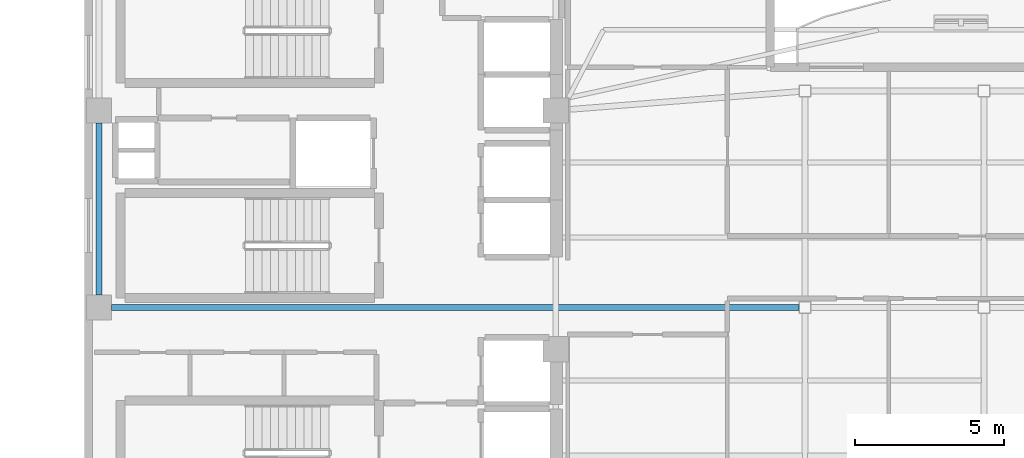
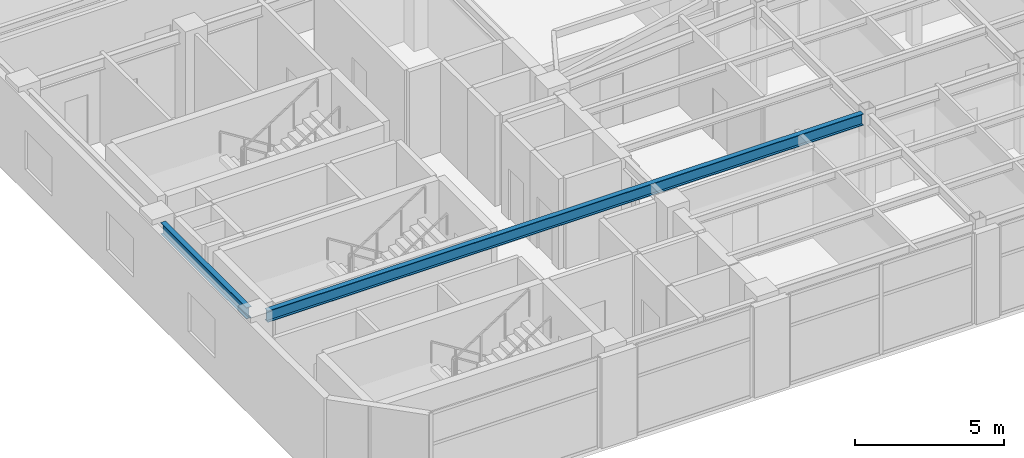
# One storey, part 3 of 14: 2 beams.
"""IFC4 building model written with IfcOpenShell, lengths in metres."""

import ifcopenshell
import ifcopenshell.guid

model = None  # the IFC model being written
_history = None  # IfcOwnerHistory: only IFC2X3 demands one
_inside = {}  # id of a spatial element -> (the spatial element, [elements in it])
_under = {}  # id of a project, library or spatial element -> (it, [spatial elements below it])
_declared = {}  # id of a project -> (the project, [libraries it declares])
_typed = {}  # id of a type object -> (the type object, [elements of that type])
_made_of = {}  # id of a material, layer set ... -> (it, [elements and type objects made of it])


def new_model(schema):
    """Start an empty IFC model of exactly this schema.

    Asked for "IFC4X3", IfcOpenShell would pick the latest addendum, in which some entities
    have other attributes; the version numbers below select the first issue.
    IFC2X3 requires an IfcOwnerHistory on every rooted entity: one is made here for all.
    """
    global model, _history
    if schema == "IFC4X3":
        model = ifcopenshell.file(schema_version=(4, 3, 0, 0))
    else:
        model = ifcopenshell.file(schema=schema)
    _inside.clear()
    _under.clear()
    _declared.clear()
    _typed.clear()
    _made_of.clear()
    _history = None
    if model.schema == "IFC2X3":
        org = make("IfcOrganization", Name="unknown")
        user = make(
            "IfcPersonAndOrganization",
            ThePerson=make("IfcPerson", FamilyName="unknown"),
            TheOrganization=org,
        )
        app = make(
            "IfcApplication",
            ApplicationDeveloper=org,
            Version="unknown",
            ApplicationFullName="unknown",
            ApplicationIdentifier="unknown",
        )
        _history = make(
            "IfcOwnerHistory",
            OwningUser=user,
            OwningApplication=app,
            ChangeAction="ADDED",
            CreationDate=0,
        )
    return model


def make(cls, **values):
    """One entity of the class cls with the attributes given. An attribute that is None is left unset."""
    return model.create_entity(
        cls, **{name: value for name, value in values.items() if value is not None}
    )


def rooted(cls, **values):
    """An entity with a GlobalId (a new one), such as an element, a storey or a relation."""
    return make(cls, GlobalId=ifcopenshell.guid.new(), OwnerHistory=_history, **values)


def si_unit(unit_type, name, prefix=None):
    """IfcSIUnit, for example si_unit("LENGTHUNIT", "METRE", prefix="MILLI")."""
    return make("IfcSIUnit", UnitType=unit_type, Prefix=prefix, Name=name)


def assignment(units):
    """IfcUnitAssignment: the units of a project."""
    return None if units is None else make("IfcUnitAssignment", Units=units)


def point(xyz):
    """IfcCartesianPoint."""
    return None if xyz is None else make("IfcCartesianPoint", Coordinates=xyz)


def direction(xyz):
    """IfcDirection."""
    return None if xyz is None else make("IfcDirection", DirectionRatios=xyz)


def frame(location, z_axis=None, x_axis=None):
    """IfcAxis2Placement3D, a coordinate frame: its origin and axes. An axis left out is left unset."""
    return make(
        "IfcAxis2Placement3D",
        Location=point(location),
        Axis=direction(z_axis),
        RefDirection=direction(x_axis),
    )


def frame_2d(location, x_axis=None):
    """IfcAxis2Placement2D, a coordinate frame in the plane: its origin and x axis."""
    return make(
        "IfcAxis2Placement2D", Location=point(location), RefDirection=direction(x_axis)
    )


def origin():
    """The frame at (0, 0, 0) with its axes left unset."""
    return frame((0.0, 0.0, 0.0))


def origin_2d():
    """The frame at (0, 0) in the plane with its x axis left unset."""
    return frame_2d((0.0, 0.0))


def place(relative_to, where):
    """IfcLocalPlacement: puts the frame where relative to a parent placement (None: the world)."""
    return make(
        "IfcLocalPlacement", PlacementRelTo=relative_to, RelativePlacement=where
    )


def context(
    kind, dimensions, precision=None, world=None, true_north=None, identifier=None
):
    """IfcGeometricRepresentationContext, for example the 3D "Model" context."""
    return make(
        "IfcGeometricRepresentationContext",
        ContextIdentifier=identifier,
        ContextType=kind,
        CoordinateSpaceDimension=dimensions,
        Precision=precision,
        WorldCoordinateSystem=world,
        TrueNorth=true_north,
    )


def subcontext(parent, identifier, kind, view, scale=None):
    """IfcGeometricRepresentationSubContext, for example "Body" below "Model"."""
    return make(
        "IfcGeometricRepresentationSubContext",
        ContextIdentifier=identifier,
        ContextType=kind,
        ParentContext=parent,
        TargetScale=scale,
        TargetView=view,
    )


def project(units=None, contexts=None):
    """IfcProject with its units and contexts."""
    return rooted(
        "IfcProject",
        Name="project",
        RepresentationContexts=contexts,
        UnitsInContext=assignment(units),
    )


def spatial(cls, under=None, at=None, **own):
    """A site, building, storey or space (cls), placed at a placement, below another one or the project."""
    s = rooted(cls, ObjectPlacement=at, **own)
    if under is not None:
        _under.setdefault(under.id(), (under, []))[1].append(s)
    return s


def profile(cls, at=None, kind="AREA", **sizes):
    """A parametric profile (cls). Its sizes go by their IFC names, for example OverallWidth=200.0."""
    return make(cls, ProfileType=kind, Position=at, **sizes)


def i_section(**sizes):
    """IfcIShapeProfileDef."""
    return profile("IfcIShapeProfileDef", **sizes)


def extrude(swept, where, along, depth):
    """IfcExtrudedAreaSolid: the profile swept, set in the frame where, extruded along a direction by depth."""
    return make(
        "IfcExtrudedAreaSolid",
        SweptArea=swept,
        Position=where,
        ExtrudedDirection=direction(along),
        Depth=depth,
    )


def shape(context_of_items, identifier, shape_type, items):
    """IfcShapeRepresentation: the items that make up one representation, for example the "Body"."""
    return make(
        "IfcShapeRepresentation",
        ContextOfItems=context_of_items,
        RepresentationIdentifier=identifier,
        RepresentationType=shape_type,
        Items=items,
    )


def material(Name=None, Category=None):
    """IfcMaterial."""
    return make("IfcMaterial", Name=Name, Category=Category)


def material_profile(
    of_material, cross_section, Name=None, Category=None, Priority=None
):
    """IfcMaterialProfile: a cross section and its material."""
    return make(
        "IfcMaterialProfile",
        Name=Name,
        Material=of_material,
        Profile=cross_section,
        Priority=Priority,
        Category=Category,
    )


def profile_set(profiles, Name=None, composite=None):
    """IfcMaterialProfileSet."""
    return make(
        "IfcMaterialProfileSet",
        Name=Name,
        MaterialProfiles=profiles,
        CompositeProfile=composite,
    )


def made_of(thing, what):
    """Note that an element or type object is made of a material, layer set ...; save() writes the relation."""
    if what is not None:
        _made_of.setdefault(what.id(), (what, []))[1].append(thing)
    return thing


def type_object(cls, material=None, **own):
    """A type object (cls), such as IfcWallType, which elements share."""
    return made_of(rooted(cls, **own), material)


def element(
    cls,
    number,
    at=None,
    inside=None,
    cuts=None,
    type_object=None,
    material=None,
    context=None,
    identifier="Body",
    shape_type=None,
    held_by="IfcProductDefinitionShape",
    body=None,
    shapes=None,
    **own,
):
    """One element of the class cls, such as IfcWall. Its Tag is "e" and its number.

    at: its placement. inside: the storey or other place that contains it. cuts: it is an
    opening in that element (IfcRelVoidsElement). A single representation is given by context,
    identifier, shape_type and body (its items); several are given by shapes. held_by: the class
    of the entity that holds the representations. save() writes the other relations.
    """
    e = rooted(cls, Tag="e%d" % number, ObjectPlacement=at, **own)
    if body is not None:
        shapes = [shape(context, identifier, shape_type, body)]
    if shapes is not None:
        e.Representation = make(held_by, Representations=shapes)
    if inside is not None:
        _inside.setdefault(inside.id(), (inside, []))[1].append(e)
    if cuts is not None:
        rooted(
            "IfcRelVoidsElement", RelatingBuildingElement=cuts, RelatedOpeningElement=e
        )
    if type_object is not None:
        _typed.setdefault(type_object.id(), (type_object, []))[1].append(e)
    return made_of(e, material)


def aggregate(whole, parts):
    """IfcRelAggregates: a whole, such as a stair, and the parts it consists of."""
    return rooted("IfcRelAggregates", RelatingObject=whole, RelatedObjects=parts)


def save(model, path):
    """Write the relations noted so far, then the file.

    IfcRelAggregates (storeys below a building ...), IfcRelContainedInSpatialStructure (elements
    in a storey), IfcRelDefinesByType, IfcRelAssociatesMaterial and IfcRelDeclares: one each for
    every whole, place, type object, material and project.
    """
    for whole, parts in _under.values():
        aggregate(whole, parts)
    for where, things in _inside.values():
        rooted(
            "IfcRelContainedInSpatialStructure",
            RelatedElements=things,
            RelatingStructure=where,
        )
    for kind, things in _typed.values():
        rooted("IfcRelDefinesByType", RelatedObjects=things, RelatingType=kind)
    for what, things in _made_of.values():
        rooted("IfcRelAssociatesMaterial", RelatedObjects=things, RelatingMaterial=what)
    for by, libraries in _declared.values():
        rooted("IfcRelDeclares", RelatingContext=by, RelatedDefinitions=libraries)
    model.write(path)


model = new_model("IFC4")

# Units and contexts
model_context = context("Model", 3, precision=1e-05, world=origin(), true_north=direction((0.0, 1.0)))
body_context = subcontext(model_context, "Body", "Model", "MODEL_VIEW")
ifc_project = project(units=[si_unit("LENGTHUNIT", "METRE"), si_unit("AREAUNIT", "SQUARE_METRE"), si_unit("VOLUMEUNIT", "CUBIC_METRE"), si_unit("PLANEANGLEUNIT", "RADIAN"), si_unit("MASSUNIT", "GRAM", prefix="KILO")], contexts=[model_context])

# Site, building, storey
site_placement = place(None, origin())
site = spatial("IfcSite", under=ifc_project, at=site_placement, CompositionType="ELEMENT")
building_placement = place(site_placement, origin())
building = spatial("IfcBuilding", under=site, at=building_placement, Name="Mawjaban Terraces University", CompositionType="ELEMENT")
storey_placement = place(building_placement, frame((0.0, 0.0, 256.0)))
storey = spatial("IfcBuildingStorey", under=building, at=storey_placement, Name="L62", CompositionType="ELEMENT", Elevation=256.0)

# Beams
ifc_material = material(Name="Steel ASTM A572 Grade 50", Category="steel")
ifc_material_profile = material_profile(ifc_material, i_section(OverallWidth=0.194091796875, OverallDepth=0.468994140625, WebThickness=0.011474609375, FlangeThickness=0.0205078125, at=origin_2d()), Name="W460X106")
ifc_profile_set = profile_set([ifc_material_profile], Name="Steel ASTM A572 Grade 50")
beam_type = type_object("IfcBeamType", Name="Beam_B_W460X106", PredefinedType="BEAM", material=ifc_profile_set)
beam_1_placement = place(storey_placement, frame((22.77490234375, 7.949951171875, 3.455078125), z_axis=(1.0, 0.0, 0.0), x_axis=(0.0, 1.0, 0.0)))
element("IfcBeam", 1, at=beam_1_placement, inside=storey, type_object=beam_type, Name="L62 Beam BM-L62-EW-03", PredefinedType="BEAM", context=body_context, shape_type="SweptSolid", body=[
    extrude(i_section(OverallWidth=0.194091796875, OverallDepth=0.468994140625, WebThickness=0.011474609375, FlangeThickness=0.0205078125, at=origin_2d()), origin(), (0.0, 0.0, 1.0), 23.025146484375),
])
beam_2_placement = place(storey_placement, frame((22.35009765625, 8.375, 3.455078125), z_axis=(0.0, 1.0, 0.0), x_axis=(-1.0, 0.0, 0.0)))
element("IfcBeam", 2, at=beam_2_placement, inside=storey, type_object=beam_type, Name="L62 Beam BM-L62-NS-01", PredefinedType="BEAM", context=body_context, shape_type="SweptSolid", body=[
    extrude(i_section(OverallWidth=0.194091796875, OverallDepth=0.468994140625, WebThickness=0.011474609375, FlangeThickness=0.0205078125, at=origin_2d()), origin(), (0.0, 0.0, 1.0), 5.75),
])

save(model, "model.ifc")
